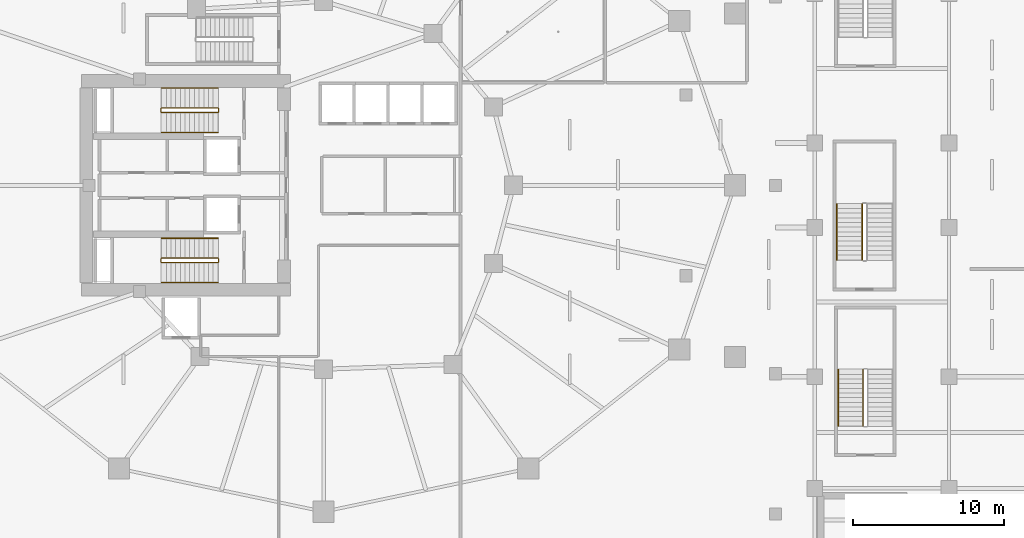
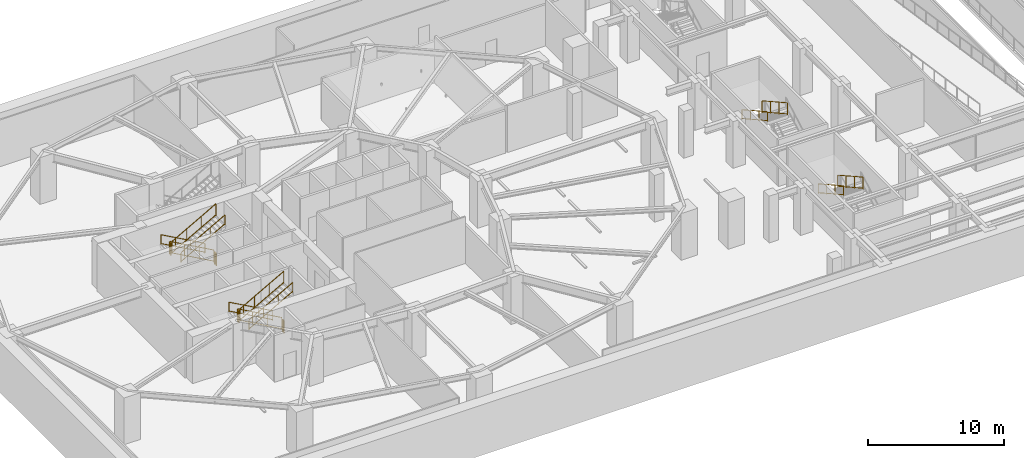
# One storey, part 13 of 16: 16 railings.
"""IFC4 building model written with IfcOpenShell, lengths in metres."""

import ifcopenshell
import ifcopenshell.guid

model = None  # the IFC model being written
_history = None  # IfcOwnerHistory: only IFC2X3 demands one
_inside = {}  # id of a spatial element -> (the spatial element, [elements in it])
_under = {}  # id of a project, library or spatial element -> (it, [spatial elements below it])
_declared = {}  # id of a project -> (the project, [libraries it declares])
_typed = {}  # id of a type object -> (the type object, [elements of that type])
_made_of = {}  # id of a material, layer set ... -> (it, [elements and type objects made of it])


def new_model(schema):
    """Start an empty IFC model of exactly this schema.

    Asked for "IFC4X3", IfcOpenShell would pick the latest addendum, in which some entities
    have other attributes; the version numbers below select the first issue.
    IFC2X3 requires an IfcOwnerHistory on every rooted entity: one is made here for all.
    """
    global model, _history
    if schema == "IFC4X3":
        model = ifcopenshell.file(schema_version=(4, 3, 0, 0))
    else:
        model = ifcopenshell.file(schema=schema)
    _inside.clear()
    _under.clear()
    _declared.clear()
    _typed.clear()
    _made_of.clear()
    _history = None
    if model.schema == "IFC2X3":
        org = make("IfcOrganization", Name="unknown")
        user = make(
            "IfcPersonAndOrganization",
            ThePerson=make("IfcPerson", FamilyName="unknown"),
            TheOrganization=org,
        )
        app = make(
            "IfcApplication",
            ApplicationDeveloper=org,
            Version="unknown",
            ApplicationFullName="unknown",
            ApplicationIdentifier="unknown",
        )
        _history = make(
            "IfcOwnerHistory",
            OwningUser=user,
            OwningApplication=app,
            ChangeAction="ADDED",
            CreationDate=0,
        )
    return model


def make(cls, **values):
    """One entity of the class cls with the attributes given. An attribute that is None is left unset."""
    return model.create_entity(
        cls, **{name: value for name, value in values.items() if value is not None}
    )


def rooted(cls, **values):
    """An entity with a GlobalId (a new one), such as an element, a storey or a relation."""
    return make(cls, GlobalId=ifcopenshell.guid.new(), OwnerHistory=_history, **values)


def si_unit(unit_type, name, prefix=None):
    """IfcSIUnit, for example si_unit("LENGTHUNIT", "METRE", prefix="MILLI")."""
    return make("IfcSIUnit", UnitType=unit_type, Prefix=prefix, Name=name)


def assignment(units):
    """IfcUnitAssignment: the units of a project."""
    return None if units is None else make("IfcUnitAssignment", Units=units)


def point(xyz):
    """IfcCartesianPoint."""
    return None if xyz is None else make("IfcCartesianPoint", Coordinates=xyz)


def direction(xyz):
    """IfcDirection."""
    return None if xyz is None else make("IfcDirection", DirectionRatios=xyz)


def frame(location, z_axis=None, x_axis=None):
    """IfcAxis2Placement3D, a coordinate frame: its origin and axes. An axis left out is left unset."""
    return make(
        "IfcAxis2Placement3D",
        Location=point(location),
        Axis=direction(z_axis),
        RefDirection=direction(x_axis),
    )


def frame_2d(location, x_axis=None):
    """IfcAxis2Placement2D, a coordinate frame in the plane: its origin and x axis."""
    return make(
        "IfcAxis2Placement2D", Location=point(location), RefDirection=direction(x_axis)
    )


def origin():
    """The frame at (0, 0, 0) with its axes left unset."""
    return frame((0.0, 0.0, 0.0))


def origin_2d():
    """The frame at (0, 0) in the plane with its x axis left unset."""
    return frame_2d((0.0, 0.0))


def place(relative_to, where):
    """IfcLocalPlacement: puts the frame where relative to a parent placement (None: the world)."""
    return make(
        "IfcLocalPlacement", PlacementRelTo=relative_to, RelativePlacement=where
    )


def context(
    kind, dimensions, precision=None, world=None, true_north=None, identifier=None
):
    """IfcGeometricRepresentationContext, for example the 3D "Model" context."""
    return make(
        "IfcGeometricRepresentationContext",
        ContextIdentifier=identifier,
        ContextType=kind,
        CoordinateSpaceDimension=dimensions,
        Precision=precision,
        WorldCoordinateSystem=world,
        TrueNorth=true_north,
    )


def subcontext(parent, identifier, kind, view, scale=None):
    """IfcGeometricRepresentationSubContext, for example "Body" below "Model"."""
    return make(
        "IfcGeometricRepresentationSubContext",
        ContextIdentifier=identifier,
        ContextType=kind,
        ParentContext=parent,
        TargetScale=scale,
        TargetView=view,
    )


def project(units=None, contexts=None):
    """IfcProject with its units and contexts."""
    return rooted(
        "IfcProject",
        Name="project",
        RepresentationContexts=contexts,
        UnitsInContext=assignment(units),
    )


def spatial(cls, under=None, at=None, **own):
    """A site, building, storey or space (cls), placed at a placement, below another one or the project."""
    s = rooted(cls, ObjectPlacement=at, **own)
    if under is not None:
        _under.setdefault(under.id(), (under, []))[1].append(s)
    return s


def profile(cls, at=None, kind="AREA", **sizes):
    """A parametric profile (cls). Its sizes go by their IFC names, for example OverallWidth=200.0."""
    return make(cls, ProfileType=kind, Position=at, **sizes)


def rectangle(**sizes):
    """IfcRectangleProfileDef."""
    return profile("IfcRectangleProfileDef", **sizes)


def extrude(swept, where, along, depth):
    """IfcExtrudedAreaSolid: the profile swept, set in the frame where, extruded along a direction by depth."""
    return make(
        "IfcExtrudedAreaSolid",
        SweptArea=swept,
        Position=where,
        ExtrudedDirection=direction(along),
        Depth=depth,
    )


def shape(context_of_items, identifier, shape_type, items):
    """IfcShapeRepresentation: the items that make up one representation, for example the "Body"."""
    return make(
        "IfcShapeRepresentation",
        ContextOfItems=context_of_items,
        RepresentationIdentifier=identifier,
        RepresentationType=shape_type,
        Items=items,
    )


def material(Name=None, Category=None):
    """IfcMaterial."""
    return make("IfcMaterial", Name=Name, Category=Category)


def made_of(thing, what):
    """Note that an element or type object is made of a material, layer set ...; save() writes the relation."""
    if what is not None:
        _made_of.setdefault(what.id(), (what, []))[1].append(thing)
    return thing


def type_object(cls, material=None, **own):
    """A type object (cls), such as IfcWallType, which elements share."""
    return made_of(rooted(cls, **own), material)


def element(
    cls,
    number,
    at=None,
    inside=None,
    cuts=None,
    type_object=None,
    material=None,
    context=None,
    identifier="Body",
    shape_type=None,
    held_by="IfcProductDefinitionShape",
    body=None,
    shapes=None,
    **own,
):
    """One element of the class cls, such as IfcWall. Its Tag is "e" and its number.

    at: its placement. inside: the storey or other place that contains it. cuts: it is an
    opening in that element (IfcRelVoidsElement). A single representation is given by context,
    identifier, shape_type and body (its items); several are given by shapes. held_by: the class
    of the entity that holds the representations. save() writes the other relations.
    """
    e = rooted(cls, Tag="e%d" % number, ObjectPlacement=at, **own)
    if body is not None:
        shapes = [shape(context, identifier, shape_type, body)]
    if shapes is not None:
        e.Representation = make(held_by, Representations=shapes)
    if inside is not None:
        _inside.setdefault(inside.id(), (inside, []))[1].append(e)
    if cuts is not None:
        rooted(
            "IfcRelVoidsElement", RelatingBuildingElement=cuts, RelatedOpeningElement=e
        )
    if type_object is not None:
        _typed.setdefault(type_object.id(), (type_object, []))[1].append(e)
    return made_of(e, material)


def aggregate(whole, parts):
    """IfcRelAggregates: a whole, such as a stair, and the parts it consists of."""
    return rooted("IfcRelAggregates", RelatingObject=whole, RelatedObjects=parts)


def save(model, path):
    """Write the relations noted so far, then the file.

    IfcRelAggregates (storeys below a building ...), IfcRelContainedInSpatialStructure (elements
    in a storey), IfcRelDefinesByType, IfcRelAssociatesMaterial and IfcRelDeclares: one each for
    every whole, place, type object, material and project.
    """
    for whole, parts in _under.values():
        aggregate(whole, parts)
    for where, things in _inside.values():
        rooted(
            "IfcRelContainedInSpatialStructure",
            RelatedElements=things,
            RelatingStructure=where,
        )
    for kind, things in _typed.values():
        rooted("IfcRelDefinesByType", RelatedObjects=things, RelatingType=kind)
    for what, things in _made_of.values():
        rooted("IfcRelAssociatesMaterial", RelatedObjects=things, RelatingMaterial=what)
    for by, libraries in _declared.values():
        rooted("IfcRelDeclares", RelatingContext=by, RelatedDefinitions=libraries)
    model.write(path)


model = new_model("IFC4")

# Units and contexts
model_context = context("Model", 3, precision=1e-05, world=origin(), true_north=direction((0.0, 1.0)))
body_context = subcontext(model_context, "Body", "Model", "MODEL_VIEW")
ifc_project = project(units=[si_unit("LENGTHUNIT", "METRE"), si_unit("AREAUNIT", "SQUARE_METRE"), si_unit("VOLUMEUNIT", "CUBIC_METRE"), si_unit("PLANEANGLEUNIT", "RADIAN"), si_unit("MASSUNIT", "GRAM", prefix="KILO")], contexts=[model_context])

# Site, building, storey
site_placement = place(None, origin())
site = spatial("IfcSite", under=ifc_project, at=site_placement, CompositionType="ELEMENT")
building_placement = place(site_placement, origin())
building = spatial("IfcBuilding", under=site, at=building_placement, Name="Kolvaren Gate Tower and Convention Centre", CompositionType="ELEMENT")
storey_placement = place(building_placement, frame((0.0, 0.0, -9.0)))
storey = spatial("IfcBuildingStorey", under=building, at=storey_placement, Name="B2", CompositionType="ELEMENT", Elevation=-9.0)

# Railings
ifc_material = material(Name="Brushed Stainless Steel Grade 316L", Category="steel")
railing_type_1 = type_object("IfcRailingType", Name="ARCH-RL-GUARD-1150", PredefinedType="GUARDRAIL", material=ifc_material)
railing_1_placement = place(storey_placement, frame((23.10009765625, 32.1298828125, 0.173095703125)))
element("IfcRailing", 1, at=railing_1_placement, inside=storey, type_object=railing_type_1, Name="B2 ST-T1 stair guard 1", PredefinedType="GUARDRAIL", context=body_context, shape_type="SweptSolid", body=[
    extrude(rectangle(XDim=0.048095703125, YDim=0.048095703125, at=origin_2d()), frame((0.0, 0.0, 1.076171875), z_axis=(-0.873147225507, 0.0, 0.487456585338), x_axis=(0.0, -1.0, 0.0)), (0.0, 0.0, 1.0), 4.2607421875),
    extrude(rectangle(XDim=0.048095703125, YDim=0.048095703125, at=origin_2d()), frame((0.0, 0.0, 0.083984375), z_axis=(-0.873147225507, 0.0, 0.487456585338), x_axis=(0.0, -1.0, 0.0)), (0.0, 0.0, 1.0), 4.2607421875),
    extrude(rectangle(XDim=0.0419921875, YDim=0.0419921875, at=origin_2d()), origin(), (0.0, 0.0, 1.0), 1.050048828125),
    extrude(rectangle(XDim=0.0419921875, YDim=0.0419921875, at=origin_2d()), frame((-3.72021484375, 0.0, 2.076904296875)), (0.0, 0.0, 1.0), 1.050048828125),
    extrude(rectangle(XDim=0.0419921875, YDim=0.0419921875, at=origin_2d()), frame((-1.239990234375, 0.0, 0.6923828125)), (0.0, 0.0, 1.0), 1.050048828125),
    extrude(rectangle(XDim=0.0419921875, YDim=0.0419921875, at=origin_2d()), frame((-2.480224609375, 0.0, 1.384521484375)), (0.0, 0.0, 1.0), 1.050048828125),
])
railing_2_placement = place(storey_placement, frame((19.330078125, 32.080078125, 2.25)))
element("IfcRailing", 2, at=railing_2_placement, inside=storey, type_object=railing_type_1, Name="B2 ST-T1 stair guard 2", PredefinedType="GUARDRAIL", context=body_context, shape_type="SweptSolid", body=[
    extrude(rectangle(XDim=0.048095703125, YDim=0.048095703125, at=origin_2d()), frame((0.0, 0.0, 1.076171875), z_axis=(0.0, -1.0, 0.0), x_axis=(1.0, 0.0, 0.0)), (0.0, 0.0, 1.0), 0.2001953125),
    extrude(rectangle(XDim=0.048095703125, YDim=0.048095703125, at=origin_2d()), frame((0.0, 0.0, 0.083984375), z_axis=(0.0, -1.0, 0.0), x_axis=(1.0, 0.0, 0.0)), (0.0, 0.0, 1.0), 0.2001953125),
    extrude(rectangle(XDim=0.0419921875, YDim=0.0419921875, at=origin_2d()), origin(), (0.0, 0.0, 1.0), 1.050048828125),
    extrude(rectangle(XDim=0.0419921875, YDim=0.0419921875, at=origin_2d()), frame((0.0, -0.2001953125, 0.0)), (0.0, 0.0, 1.0), 1.050048828125),
])
railing_3_placement = place(storey_placement, frame((19.3798828125, 31.830078125, 2.423095703125)))
element("IfcRailing", 3, at=railing_3_placement, inside=storey, type_object=railing_type_1, Name="B2 ST-T1 stair guard 3", PredefinedType="GUARDRAIL", context=body_context, shape_type="SweptSolid", body=[
    extrude(rectangle(XDim=0.048095703125, YDim=0.048095703125, at=origin_2d()), frame((0.0, 0.0, 1.076171875), z_axis=(0.873147225507, 0.0, 0.487456585338), x_axis=(0.0, 1.0, 0.0)), (0.0, 0.0, 1.0), 4.2607421875),
    extrude(rectangle(XDim=0.048095703125, YDim=0.048095703125, at=origin_2d()), frame((0.0, 0.0, 0.083984375), z_axis=(0.873147225507, 0.0, 0.487456585338), x_axis=(0.0, 1.0, 0.0)), (0.0, 0.0, 1.0), 4.2607421875),
    extrude(rectangle(XDim=0.0419921875, YDim=0.0419921875, at=origin_2d()), origin(), (0.0, 0.0, 1.0), 1.050048828125),
    extrude(rectangle(XDim=0.0419921875, YDim=0.0419921875, at=origin_2d()), frame((3.72021484375, 0.0, 2.076904296875)), (0.0, 0.0, 1.0), 1.050048828125),
    extrude(rectangle(XDim=0.0419921875, YDim=0.0419921875, at=origin_2d()), frame((1.239990234375, 0.0, 0.6923828125)), (0.0, 0.0, 1.0), 1.050048828125),
    extrude(rectangle(XDim=0.0419921875, YDim=0.0419921875, at=origin_2d()), frame((2.480224609375, 0.0, 1.384521484375)), (0.0, 0.0, 1.0), 1.050048828125),
])
railing_4_placement = place(storey_placement, frame((23.14990234375, 32.080078125, 0.0)))
element("IfcRailing", 4, at=railing_4_placement, inside=storey, type_object=railing_type_1, Name="B2 ST-T1 stair guard 4", PredefinedType="GUARDRAIL", context=body_context, shape_type="SweptSolid", body=[
    extrude(rectangle(XDim=0.048095703125, YDim=0.048095703125, at=origin_2d()), frame((0.0, 0.0, 1.076171875), z_axis=(0.0, -1.0, 0.0), x_axis=(1.0, 0.0, 0.0)), (0.0, 0.0, 1.0), 0.2001953125),
    extrude(rectangle(XDim=0.048095703125, YDim=0.048095703125, at=origin_2d()), frame((0.0, 0.0, 0.083984375), z_axis=(0.0, -1.0, 0.0), x_axis=(1.0, 0.0, 0.0)), (0.0, 0.0, 1.0), 0.2001953125),
    extrude(rectangle(XDim=0.0419921875, YDim=0.0419921875, at=origin_2d()), origin(), (0.0, 0.0, 1.0), 1.050048828125),
    extrude(rectangle(XDim=0.0419921875, YDim=0.0419921875, at=origin_2d()), frame((0.0, -0.2001953125, 0.0)), (0.0, 0.0, 1.0), 1.050048828125),
])
railing_5_placement = place(storey_placement, frame((23.10009765625, 22.169921875, 0.173095703125)))
element("IfcRailing", 5, at=railing_5_placement, inside=storey, type_object=railing_type_1, Name="B2 ST-T2 stair guard 1", PredefinedType="GUARDRAIL", context=body_context, shape_type="SweptSolid", body=[
    extrude(rectangle(XDim=0.048095703125, YDim=0.048095703125, at=origin_2d()), frame((0.0, 0.0, 1.076171875), z_axis=(-0.873147225507, 0.0, 0.487456585338), x_axis=(0.0, -1.0, 0.0)), (0.0, 0.0, 1.0), 4.2607421875),
    extrude(rectangle(XDim=0.048095703125, YDim=0.048095703125, at=origin_2d()), frame((0.0, 0.0, 0.083984375), z_axis=(-0.873147225507, 0.0, 0.487456585338), x_axis=(0.0, -1.0, 0.0)), (0.0, 0.0, 1.0), 4.2607421875),
    extrude(rectangle(XDim=0.0419921875, YDim=0.0419921875, at=origin_2d()), origin(), (0.0, 0.0, 1.0), 1.050048828125),
    extrude(rectangle(XDim=0.0419921875, YDim=0.0419921875, at=origin_2d()), frame((-3.72021484375, 0.0, 2.076904296875)), (0.0, 0.0, 1.0), 1.050048828125),
    extrude(rectangle(XDim=0.0419921875, YDim=0.0419921875, at=origin_2d()), frame((-1.239990234375, 0.0, 0.6923828125)), (0.0, 0.0, 1.0), 1.050048828125),
    extrude(rectangle(XDim=0.0419921875, YDim=0.0419921875, at=origin_2d()), frame((-2.480224609375, 0.0, 1.384521484375)), (0.0, 0.0, 1.0), 1.050048828125),
])
railing_6_placement = place(storey_placement, frame((19.330078125, 22.1201171875, 2.25)))
element("IfcRailing", 6, at=railing_6_placement, inside=storey, type_object=railing_type_1, Name="B2 ST-T2 stair guard 2", PredefinedType="GUARDRAIL", context=body_context, shape_type="SweptSolid", body=[
    extrude(rectangle(XDim=0.048095703125, YDim=0.048095703125, at=origin_2d()), frame((0.0, 0.0, 1.076171875), z_axis=(0.0, -1.0, 0.0), x_axis=(1.0, 0.0, 0.0)), (0.0, 0.0, 1.0), 0.2001953125),
    extrude(rectangle(XDim=0.048095703125, YDim=0.048095703125, at=origin_2d()), frame((0.0, 0.0, 0.083984375), z_axis=(0.0, -1.0, 0.0), x_axis=(1.0, 0.0, 0.0)), (0.0, 0.0, 1.0), 0.2001953125),
    extrude(rectangle(XDim=0.0419921875, YDim=0.0419921875, at=origin_2d()), origin(), (0.0, 0.0, 1.0), 1.050048828125),
    extrude(rectangle(XDim=0.0419921875, YDim=0.0419921875, at=origin_2d()), frame((0.0, -0.2001953125, 0.0)), (0.0, 0.0, 1.0), 1.050048828125),
])
railing_7_placement = place(storey_placement, frame((19.3798828125, 21.8701171875, 2.423095703125)))
element("IfcRailing", 7, at=railing_7_placement, inside=storey, type_object=railing_type_1, Name="B2 ST-T2 stair guard 3", PredefinedType="GUARDRAIL", context=body_context, shape_type="SweptSolid", body=[
    extrude(rectangle(XDim=0.048095703125, YDim=0.048095703125, at=origin_2d()), frame((0.0, 0.0, 1.076171875), z_axis=(0.873147225507, 0.0, 0.487456585338), x_axis=(0.0, 1.0, 0.0)), (0.0, 0.0, 1.0), 4.2607421875),
    extrude(rectangle(XDim=0.048095703125, YDim=0.048095703125, at=origin_2d()), frame((0.0, 0.0, 0.083984375), z_axis=(0.873147225507, 0.0, 0.487456585338), x_axis=(0.0, 1.0, 0.0)), (0.0, 0.0, 1.0), 4.2607421875),
    extrude(rectangle(XDim=0.0419921875, YDim=0.0419921875, at=origin_2d()), origin(), (0.0, 0.0, 1.0), 1.050048828125),
    extrude(rectangle(XDim=0.0419921875, YDim=0.0419921875, at=origin_2d()), frame((3.72021484375, 0.0, 2.076904296875)), (0.0, 0.0, 1.0), 1.050048828125),
    extrude(rectangle(XDim=0.0419921875, YDim=0.0419921875, at=origin_2d()), frame((1.239990234375, 0.0, 0.6923828125)), (0.0, 0.0, 1.0), 1.050048828125),
    extrude(rectangle(XDim=0.0419921875, YDim=0.0419921875, at=origin_2d()), frame((2.480224609375, 0.0, 1.384521484375)), (0.0, 0.0, 1.0), 1.050048828125),
])
railing_8_placement = place(storey_placement, frame((23.14990234375, 22.1201171875, 0.0)))
element("IfcRailing", 8, at=railing_8_placement, inside=storey, type_object=railing_type_1, Name="B2 ST-T2 stair guard 4", PredefinedType="GUARDRAIL", context=body_context, shape_type="SweptSolid", body=[
    extrude(rectangle(XDim=0.048095703125, YDim=0.048095703125, at=origin_2d()), frame((0.0, 0.0, 1.076171875), z_axis=(0.0, -1.0, 0.0), x_axis=(1.0, 0.0, 0.0)), (0.0, 0.0, 1.0), 0.2001953125),
    extrude(rectangle(XDim=0.048095703125, YDim=0.048095703125, at=origin_2d()), frame((0.0, 0.0, 0.083984375), z_axis=(0.0, -1.0, 0.0), x_axis=(1.0, 0.0, 0.0)), (0.0, 0.0, 1.0), 0.2001953125),
    extrude(rectangle(XDim=0.0419921875, YDim=0.0419921875, at=origin_2d()), origin(), (0.0, 0.0, 1.0), 1.050048828125),
    extrude(rectangle(XDim=0.0419921875, YDim=0.0419921875, at=origin_2d()), frame((0.0, -0.2001953125, 0.0)), (0.0, 0.0, 1.0), 1.050048828125),
])
for number, where, name in (
    (9, (65.89990234375, 14.77001953125, 2.423095703125), "B2 ST-C2 stair guard 3"),
    (10, (65.85009765625, 25.77001953125, 2.423095703125), "B2 ST-C5 stair guard 3"),
):
    element("IfcRailing", number, at=place(storey_placement, frame(where)), inside=storey, type_object=railing_type_1, Name=name, PredefinedType="GUARDRAIL", context=body_context, shape_type="SweptSolid", body=[
        extrude(rectangle(XDim=0.048095703125, YDim=0.048095703125, at=origin_2d()), frame((0.0, 0.0, 1.076171875), z_axis=(0.0, -0.873133609054, 0.487480974747), x_axis=(1.0, 0.0, 0.0)), (0.0, 0.0, 1.0), 4.260498046875),
        extrude(rectangle(XDim=0.048095703125, YDim=0.048095703125, at=origin_2d()), frame((0.0, 0.0, 0.083984375), z_axis=(0.0, -0.873133609054, 0.487480974747), x_axis=(1.0, 0.0, 0.0)), (0.0, 0.0, 1.0), 4.260498046875),
        extrude(rectangle(XDim=0.0419921875, YDim=0.0419921875, at=origin_2d()), origin(), (0.0, 0.0, 1.0), 1.050048828125),
        extrude(rectangle(XDim=0.0419921875, YDim=0.0419921875, at=origin_2d()), frame((0.0, -3.719970703125, 2.076904296875)), (0.0, 0.0, 1.0), 1.050048828125),
        extrude(rectangle(XDim=0.0419921875, YDim=0.0419921875, at=origin_2d()), frame((0.0, -1.239990234375, 0.6923828125)), (0.0, 0.0, 1.0), 1.050048828125),
        extrude(rectangle(XDim=0.0419921875, YDim=0.0419921875, at=origin_2d()), frame((0.0, -2.47998046875, 1.384521484375)), (0.0, 0.0, 1.0), 1.050048828125),
    ])
railing_type_2 = type_object("IfcRailingType", Name="ARCH-RL-HANDRAIL-920", PredefinedType="HANDRAIL", material=ifc_material)
railing_9_placement = place(storey_placement, frame((23.10009765625, 33.449951171875, 0.173095703125)))
element("IfcRailing", 11, at=railing_9_placement, inside=storey, type_object=railing_type_2, Name="B2 ST-T1 stair handrail 1", PredefinedType="HANDRAIL", context=body_context, shape_type="SweptSolid", body=[
    extrude(rectangle(XDim=0.048095703125, YDim=0.048095703125, at=origin_2d()), frame((0.0, 0.0, 0.8759765625), z_axis=(-0.873147225507, 0.0, 0.487456585338), x_axis=(0.0, -1.0, 0.0)), (0.0, 0.0, 1.0), 4.2607421875),
    extrude(rectangle(XDim=0.048095703125, YDim=0.048095703125, at=origin_2d()), frame((0.0, 0.0, 0.083984375), z_axis=(-0.873147225507, 0.0, 0.487456585338), x_axis=(0.0, -1.0, 0.0)), (0.0, 0.0, 1.0), 4.2607421875),
    extrude(rectangle(XDim=0.0419921875, YDim=0.0419921875, at=origin_2d()), origin(), (0.0, 0.0, 1.0), 0.849853515625),
    extrude(rectangle(XDim=0.0419921875, YDim=0.0419921875, at=origin_2d()), frame((-3.72021484375, 0.0, 2.076904296875)), (0.0, 0.0, 1.0), 0.849853515625),
    extrude(rectangle(XDim=0.0419921875, YDim=0.0419921875, at=origin_2d()), frame((-1.239990234375, 0.0, 0.6923828125)), (0.0, 0.0, 1.0), 0.849853515625),
    extrude(rectangle(XDim=0.0419921875, YDim=0.0419921875, at=origin_2d()), frame((-2.480224609375, 0.0, 1.384521484375)), (0.0, 0.0, 1.0), 0.849853515625),
])
railing_10_placement = place(storey_placement, frame((19.3798828125, 30.510009765625, 2.423095703125)))
element("IfcRailing", 12, at=railing_10_placement, inside=storey, type_object=railing_type_2, Name="B2 ST-T1 stair handrail 2", PredefinedType="HANDRAIL", context=body_context, shape_type="SweptSolid", body=[
    extrude(rectangle(XDim=0.048095703125, YDim=0.048095703125, at=origin_2d()), frame((0.0, 0.0, 0.8759765625), z_axis=(0.873147225507, 0.0, 0.487456585338), x_axis=(0.0, 1.0, 0.0)), (0.0, 0.0, 1.0), 4.2607421875),
    extrude(rectangle(XDim=0.048095703125, YDim=0.048095703125, at=origin_2d()), frame((0.0, 0.0, 0.083984375), z_axis=(0.873147225507, 0.0, 0.487456585338), x_axis=(0.0, 1.0, 0.0)), (0.0, 0.0, 1.0), 4.2607421875),
    extrude(rectangle(XDim=0.0419921875, YDim=0.0419921875, at=origin_2d()), origin(), (0.0, 0.0, 1.0), 0.849853515625),
    extrude(rectangle(XDim=0.0419921875, YDim=0.0419921875, at=origin_2d()), frame((3.72021484375, 0.0, 2.076904296875)), (0.0, 0.0, 1.0), 0.849853515625),
    extrude(rectangle(XDim=0.0419921875, YDim=0.0419921875, at=origin_2d()), frame((1.239990234375, 0.0, 0.6923828125)), (0.0, 0.0, 1.0), 0.849853515625),
    extrude(rectangle(XDim=0.0419921875, YDim=0.0419921875, at=origin_2d()), frame((2.480224609375, 0.0, 1.384521484375)), (0.0, 0.0, 1.0), 0.849853515625),
])
railing_11_placement = place(storey_placement, frame((23.10009765625, 23.489990234375, 0.173095703125)))
element("IfcRailing", 13, at=railing_11_placement, inside=storey, type_object=railing_type_2, Name="B2 ST-T2 stair handrail 1", PredefinedType="HANDRAIL", context=body_context, shape_type="SweptSolid", body=[
    extrude(rectangle(XDim=0.048095703125, YDim=0.048095703125, at=origin_2d()), frame((0.0, 0.0, 0.8759765625), z_axis=(-0.873147225507, 0.0, 0.487456585338), x_axis=(0.0, -1.0, 0.0)), (0.0, 0.0, 1.0), 4.2607421875),
    extrude(rectangle(XDim=0.048095703125, YDim=0.048095703125, at=origin_2d()), frame((0.0, 0.0, 0.083984375), z_axis=(-0.873147225507, 0.0, 0.487456585338), x_axis=(0.0, -1.0, 0.0)), (0.0, 0.0, 1.0), 4.2607421875),
    extrude(rectangle(XDim=0.0419921875, YDim=0.0419921875, at=origin_2d()), origin(), (0.0, 0.0, 1.0), 0.849853515625),
    extrude(rectangle(XDim=0.0419921875, YDim=0.0419921875, at=origin_2d()), frame((-3.72021484375, 0.0, 2.076904296875)), (0.0, 0.0, 1.0), 0.849853515625),
    extrude(rectangle(XDim=0.0419921875, YDim=0.0419921875, at=origin_2d()), frame((-1.239990234375, 0.0, 0.6923828125)), (0.0, 0.0, 1.0), 0.849853515625),
    extrude(rectangle(XDim=0.0419921875, YDim=0.0419921875, at=origin_2d()), frame((-2.480224609375, 0.0, 1.384521484375)), (0.0, 0.0, 1.0), 0.849853515625),
])
railing_12_placement = place(storey_placement, frame((19.3798828125, 20.550048828125, 2.423095703125)))
element("IfcRailing", 14, at=railing_12_placement, inside=storey, type_object=railing_type_2, Name="B2 ST-T2 stair handrail 2", PredefinedType="HANDRAIL", context=body_context, shape_type="SweptSolid", body=[
    extrude(rectangle(XDim=0.048095703125, YDim=0.048095703125, at=origin_2d()), frame((0.0, 0.0, 0.8759765625), z_axis=(0.873147225507, 0.0, 0.487456585338), x_axis=(0.0, 1.0, 0.0)), (0.0, 0.0, 1.0), 4.2607421875),
    extrude(rectangle(XDim=0.048095703125, YDim=0.048095703125, at=origin_2d()), frame((0.0, 0.0, 0.083984375), z_axis=(0.873147225507, 0.0, 0.487456585338), x_axis=(0.0, 1.0, 0.0)), (0.0, 0.0, 1.0), 4.2607421875),
    extrude(rectangle(XDim=0.0419921875, YDim=0.0419921875, at=origin_2d()), origin(), (0.0, 0.0, 1.0), 0.849853515625),
    extrude(rectangle(XDim=0.0419921875, YDim=0.0419921875, at=origin_2d()), frame((3.72021484375, 0.0, 2.076904296875)), (0.0, 0.0, 1.0), 0.849853515625),
    extrude(rectangle(XDim=0.0419921875, YDim=0.0419921875, at=origin_2d()), frame((1.239990234375, 0.0, 0.6923828125)), (0.0, 0.0, 1.0), 0.849853515625),
    extrude(rectangle(XDim=0.0419921875, YDim=0.0419921875, at=origin_2d()), frame((2.480224609375, 0.0, 1.384521484375)), (0.0, 0.0, 1.0), 0.849853515625),
])
for number, where, name in (
    (15, (64.25, 14.77001953125, 2.423095703125), "B2 ST-C2 stair handrail 2"),
    (16, (64.14990234375, 25.77001953125, 2.423095703125), "B2 ST-C5 stair handrail 2"),
):
    element("IfcRailing", number, at=place(storey_placement, frame(where)), inside=storey, type_object=railing_type_2, Name=name, PredefinedType="HANDRAIL", context=body_context, shape_type="SweptSolid", body=[
        extrude(rectangle(XDim=0.048095703125, YDim=0.048095703125, at=origin_2d()), frame((0.0, 0.0, 0.8759765625), z_axis=(0.0, -0.873133609054, 0.487480974747), x_axis=(1.0, 0.0, 0.0)), (0.0, 0.0, 1.0), 4.260498046875),
        extrude(rectangle(XDim=0.048095703125, YDim=0.048095703125, at=origin_2d()), frame((0.0, 0.0, 0.083984375), z_axis=(0.0, -0.873133609054, 0.487480974747), x_axis=(1.0, 0.0, 0.0)), (0.0, 0.0, 1.0), 4.260498046875),
        extrude(rectangle(XDim=0.0419921875, YDim=0.0419921875, at=origin_2d()), origin(), (0.0, 0.0, 1.0), 0.849853515625),
        extrude(rectangle(XDim=0.0419921875, YDim=0.0419921875, at=origin_2d()), frame((0.0, -3.719970703125, 2.076904296875)), (0.0, 0.0, 1.0), 0.849853515625),
        extrude(rectangle(XDim=0.0419921875, YDim=0.0419921875, at=origin_2d()), frame((0.0, -1.239990234375, 0.6923828125)), (0.0, 0.0, 1.0), 0.849853515625),
        extrude(rectangle(XDim=0.0419921875, YDim=0.0419921875, at=origin_2d()), frame((0.0, -2.47998046875, 1.384521484375)), (0.0, 0.0, 1.0), 0.849853515625),
    ])

save(model, "model.ifc")
